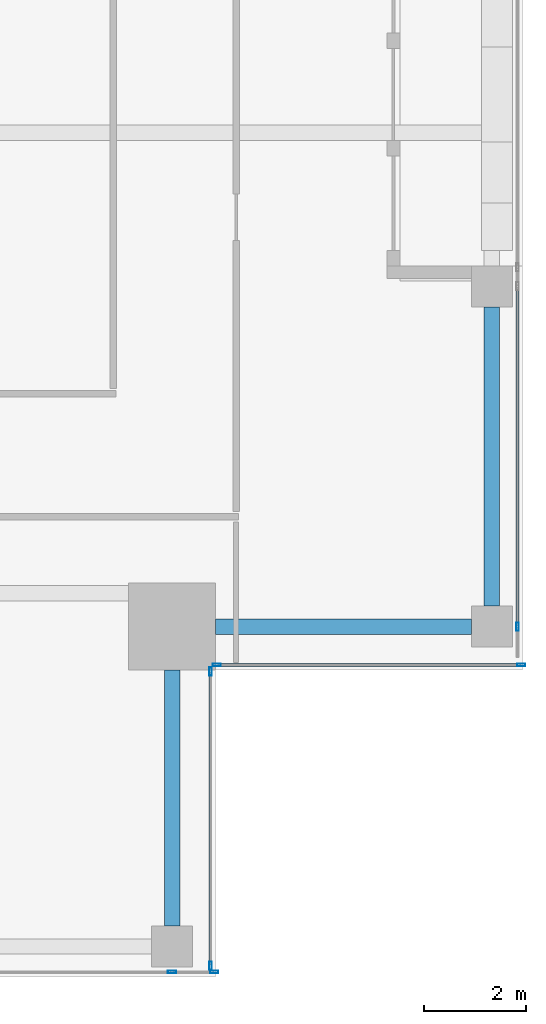
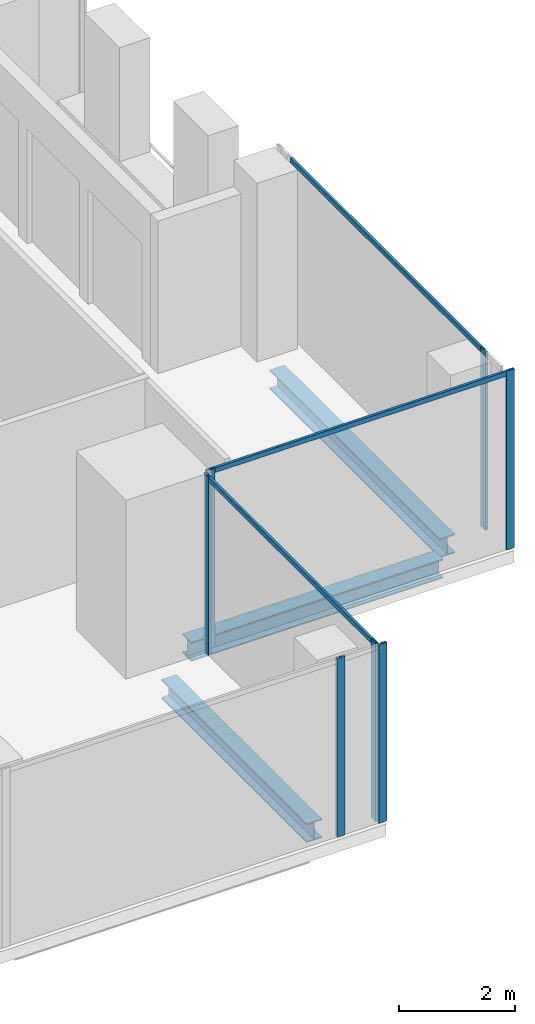
# One storey, part 9 of 29: 10 members, 3 beams, 4 elements without a shape of their own.
"""IFC4 building model written with IfcOpenShell, lengths in metres."""

from ifc_helpers import new_model, si_unit, direction, frame, origin, origin_2d, place, context, subcontext, project, spatial, hollow_rectangle, i_section, extrude, source, transform, mapped, material, material_profile, profile_set, type_object, element, aggregate, save


model = new_model("IFC4")

# Units and contexts
model_context = context("Model", 3, precision=1e-05, world=origin(), true_north=direction((0.0, 1.0)))
body_context = subcontext(model_context, "Body", "Model", "MODEL_VIEW")
ifc_project = project(units=[si_unit("LENGTHUNIT", "METRE"), si_unit("AREAUNIT", "SQUARE_METRE"), si_unit("VOLUMEUNIT", "CUBIC_METRE"), si_unit("PLANEANGLEUNIT", "RADIAN"), si_unit("MASSUNIT", "GRAM", prefix="KILO")], contexts=[model_context])

# Site, building, storey
site_placement = place(None, origin())
site = spatial("IfcSite", under=ifc_project, at=site_placement, CompositionType="ELEMENT")
building_placement = place(site_placement, origin())
building = spatial("IfcBuilding", under=site, at=building_placement, Name="Khomas Fold Tower", CompositionType="ELEMENT")
storey_placement = place(building_placement, frame((0.0, 0.0, 326.199951171875)))
storey = spatial("IfcBuildingStorey", under=building, at=storey_placement, Name="L74", CompositionType="ELEMENT", Elevation=326.199951171875)

# Beams
ifc_material_1 = material(Name="Steel S355", Category="steel")
ifc_material_profile_1 = material_profile(ifc_material_1, i_section(OverallWidth=0.300048828125, OverallDepth=0.39990234375, WebThickness=0.013427734375, FlangeThickness=0.02392578125, at=origin_2d()), Name="HE 400 B")
ifc_profile_set_1 = profile_set([ifc_material_profile_1], Name="Steel S355")
beam_type = type_object("IfcBeamType", Name="HE 400 B spandrel SB5", PredefinedType="SPANDREL", material=ifc_profile_set_1)
shared_shape_1 = source(origin(), body_context, "Body", "SweptSolid", [
    extrude(i_section(OverallWidth=0.300048828125, OverallDepth=0.39990234375, WebThickness=0.013427734375, FlangeThickness=0.02392578125, at=origin_2d()), origin(), (0.0, 0.0, 1.0), 5.85009765625),
])
beam_placement = place(storey_placement, frame((47.39990234375, 13.25, -0.449951171875), z_axis=(0.0, 1.0, 0.0), x_axis=(-1.0, 0.0, 0.0)))
element("IfcBeam", 1, at=beam_placement, inside=storey, type_object=beam_type, Name="SB5", PredefinedType="SPANDREL", context=body_context, shape_type="MappedRepresentation", body=[
    mapped(shared_shape_1, transform((0.0, 0.0, 0.0))),
])
shared_shape_2 = source(origin(), body_context, "Body", "SweptSolid", [
    extrude(i_section(OverallWidth=0.300048828125, OverallDepth=0.39990234375, WebThickness=0.013427734375, FlangeThickness=0.02392578125, at=origin_2d()), origin(), (0.0, 0.0, 1.0), 5.0),
])
for number, where, z_axis, x_axis, name in (
    (2, (41.14990234375, 7.0, -0.449951171875), (0.0, 1.0, 0.0), (-1.0, 0.0, 0.0), "SB5"),
    (3, (42.0, 12.85009765625, -0.449951171875), (1.0, 0.0, 0.0), (0.0, 1.0, 0.0), "SB5"),
):
    element("IfcBeam", number, at=place(storey_placement, frame(where, z_axis=z_axis, x_axis=x_axis)), inside=storey, type_object=beam_type, Name=name, PredefinedType="SPANDREL", context=body_context, shape_type="MappedRepresentation", body=[
        mapped(shared_shape_2, transform((0.0, 0.0, 0.0))),
    ])

# Curtain wall, members
ifc_material_2 = material(Name="Aluminium framed double glazing", Category="aluminium")
curtain_wall_type = type_object("IfcCurtainWallType", Name="SK-Unitised clear-glass wall, upper floors CW3", PredefinedType="NOTDEFINED", material=ifc_material_2)
curtain_wall_1_placement = place(storey_placement, origin())
curtain_wall_1 = element("IfcCurtainWall", 4, at=curtain_wall_1_placement, inside=storey, type_object=curtain_wall_type, Name="CW3 run L74 00-0", PredefinedType="NOTDEFINED")
ifc_material_3 = material(Name="Aluminium", Category="aluminium")
ifc_material_profile_2 = material_profile(ifc_material_3, hollow_rectangle(XDim=0.050048828125, YDim=0.159912109375, WallThickness=0.00390625, at=origin_2d()), Name="SK-Unitised clear-glass wall, upper floors mullion CW3-M")
ifc_profile_set_2 = profile_set([ifc_material_profile_2], Name="Aluminium")
member_type_1 = type_object("IfcMemberType", Name="SK-Unitised clear-glass wall, upper floors mullion CW3-M", PredefinedType="MULLION", material=ifc_profile_set_2)
shared_shape_3 = source(origin(), body_context, "Body", "SweptSolid", [
    extrude(hollow_rectangle(XDim=0.050048828125, YDim=0.159912109375, WallThickness=0.00390625, at=origin_2d()), origin(), (0.0, 0.0, 1.0), 3.75),
])
member_1_placement = place(storey_placement, frame((41.14990234375, 6.10009765625, 0.0), z_axis=(0.0, 0.0, 1.0), x_axis=(0.0, 1.0, 0.0)))
member_1 = element("IfcMember", 5, at=member_1_placement, type_object=member_type_1, Name="CW3 mullion 6", PredefinedType="MULLION", context=body_context, shape_type="MappedRepresentation", body=[
    mapped(shared_shape_3, transform((0.0, 0.0, 0.0))),
])
member_2_placement = place(storey_placement, frame((41.97509765625, 6.10009765625, 0.0), z_axis=(0.0, 0.0, 1.0), x_axis=(0.0, 1.0, 0.0)))
member_2 = element("IfcMember", 6, at=member_2_placement, type_object=member_type_1, Name="CW3 mullion 7", PredefinedType="MULLION", context=body_context, shape_type="MappedRepresentation", body=[
    mapped(shared_shape_3, transform((0.0, 0.0, 0.0))),
])
aggregate(curtain_wall_1, [member_1, member_2])

curtain_wall_2_placement = place(storey_placement, origin())
curtain_wall_2 = element("IfcCurtainWall", 7, at=curtain_wall_2_placement, inside=storey, type_object=curtain_wall_type, Name="CW3 corner return L74 01", PredefinedType="NOTDEFINED")
member_3_placement = place(storey_placement, frame((41.89990234375, 6.22509765625, 0.0), z_axis=(0.0, 0.0, 1.0), x_axis=(-1.0, 0.0, 0.0)))
member_3 = element("IfcMember", 8, at=member_3_placement, type_object=member_type_1, Name="CW3 mullion 1", PredefinedType="MULLION", context=body_context, shape_type="MappedRepresentation", body=[
    mapped(shared_shape_3, transform((0.0, 0.0, 0.0))),
])
member_4_placement = place(storey_placement, frame((41.89990234375, 11.97509765625, 0.0), z_axis=(0.0, 0.0, 1.0), x_axis=(-1.0, 0.0, 0.0)))
member_4 = element("IfcMember", 9, at=member_4_placement, type_object=member_type_1, Name="CW3 mullion 2", PredefinedType="MULLION", context=body_context, shape_type="MappedRepresentation", body=[
    mapped(shared_shape_3, transform((0.0, 0.0, 0.0))),
])

curtain_wall_3_placement = place(storey_placement, origin())
curtain_wall_3 = element("IfcCurtainWall", 10, at=curtain_wall_3_placement, inside=storey, type_object=curtain_wall_type, Name="CW3 corner return L74 02", PredefinedType="NOTDEFINED")
member_5_placement = place(storey_placement, frame((42.02490234375, 12.10009765625, 0.0), z_axis=(0.0, 0.0, 1.0), x_axis=(0.0, 1.0, 0.0)))
member_5 = element("IfcMember", 11, at=member_5_placement, type_object=member_type_1, Name="CW3 mullion 1", PredefinedType="MULLION", context=body_context, shape_type="MappedRepresentation", body=[
    mapped(shared_shape_3, transform((0.0, 0.0, 0.0))),
])
member_6_placement = place(storey_placement, frame((47.97509765625, 12.10009765625, 0.0), z_axis=(0.0, 0.0, 1.0), x_axis=(0.0, 1.0, 0.0)))
member_6 = element("IfcMember", 12, at=member_6_placement, type_object=member_type_1, Name="CW3 mullion 2", PredefinedType="MULLION", context=body_context, shape_type="MappedRepresentation", body=[
    mapped(shared_shape_3, transform((0.0, 0.0, 0.0))),
])

curtain_wall_4_placement = place(storey_placement, origin())
curtain_wall_4 = element("IfcCurtainWall", 13, at=curtain_wall_4_placement, inside=storey, type_object=curtain_wall_type, Name="CW3 run L74 03-0", PredefinedType="NOTDEFINED")
member_7_placement = place(storey_placement, frame((47.89990234375, 12.85009765625, 0.0), z_axis=(0.0, 0.0, 1.0), x_axis=(-1.0, 0.0, 0.0)))
member_7 = element("IfcMember", 14, at=member_7_placement, type_object=member_type_1, Name="CW3 mullion 2", PredefinedType="MULLION", context=body_context, shape_type="MappedRepresentation", body=[
    mapped(shared_shape_3, transform((0.0, 0.0, 0.0))),
])
ifc_material_4 = material(Name="Aluminium", Category="aluminium")
ifc_material_profile_3 = material_profile(ifc_material_4, hollow_rectangle(XDim=0.050048828125, YDim=0.10009765625, WallThickness=0.00390625, at=origin_2d()), Name="SK-Unitised clear-glass wall, upper floors transom CW3-T")
ifc_profile_set_3 = profile_set([ifc_material_profile_3], Name="Aluminium")
member_type_2 = type_object("IfcMemberType", Name="SK-Unitised clear-glass wall, upper floors transom CW3-T", PredefinedType="USERDEFINED", material=ifc_profile_set_3)
shared_shape_4 = source(origin(), body_context, "Body", "SweptSolid", [
    extrude(hollow_rectangle(XDim=0.050048828125, YDim=0.10009765625, WallThickness=0.00390625, at=origin_2d()), origin(), (0.0, 0.0, 1.0), 6.60009765625),
])
member_8_placement = place(storey_placement, frame((47.89990234375, 12.875, 3.699951171875), z_axis=(0.0, 1.0, 0.0), x_axis=(-1.0, 0.0, 0.0)))
member_8 = element("IfcMember", 15, at=member_8_placement, type_object=member_type_2, Name="CW3 transom 2", ObjectType="TRANSOM", PredefinedType="USERDEFINED", context=body_context, shape_type="MappedRepresentation", body=[
    mapped(shared_shape_4, transform((0.0, 0.0, 0.0))),
])
aggregate(curtain_wall_4, [member_7, member_8])

# Member
shared_shape_5 = source(origin(), body_context, "Body", "SweptSolid", [
    extrude(hollow_rectangle(XDim=0.050048828125, YDim=0.10009765625, WallThickness=0.00390625, at=origin_2d()), origin(), (0.0, 0.0, 1.0), 5.699951171875),
])
member_9_placement = place(storey_placement, frame((41.89990234375, 6.25, 3.699951171875), z_axis=(0.0, 1.0, 0.0), x_axis=(-1.0, 0.0, 0.0)))
member_9 = element("IfcMember", 16, at=member_9_placement, type_object=member_type_2, Name="CW3 transom 1", ObjectType="TRANSOM", PredefinedType="USERDEFINED", context=body_context, shape_type="MappedRepresentation", body=[
    mapped(shared_shape_5, transform((0.0, 0.0, 0.0))),
])

aggregate(curtain_wall_2, [member_3, member_4, member_9])

shared_shape_6 = source(origin(), body_context, "Body", "SweptSolid", [
    extrude(hollow_rectangle(XDim=0.050048828125, YDim=0.10009765625, WallThickness=0.00390625, at=origin_2d()), origin(), (0.0, 0.0, 1.0), 5.89990234375),
])
member_10_placement = place(storey_placement, frame((42.050048828125, 12.10009765625, 3.699951171875), z_axis=(1.0, 0.0, 0.0), x_axis=(0.0, 1.0, 0.0)))
member_10 = element("IfcMember", 17, at=member_10_placement, type_object=member_type_2, Name="CW3 transom 1", ObjectType="TRANSOM", PredefinedType="USERDEFINED", context=body_context, shape_type="MappedRepresentation", body=[
    mapped(shared_shape_6, transform((0.0, 0.0, 0.0))),
])

aggregate(curtain_wall_3, [member_5, member_6, member_10])

save(model, "model.ifc")
